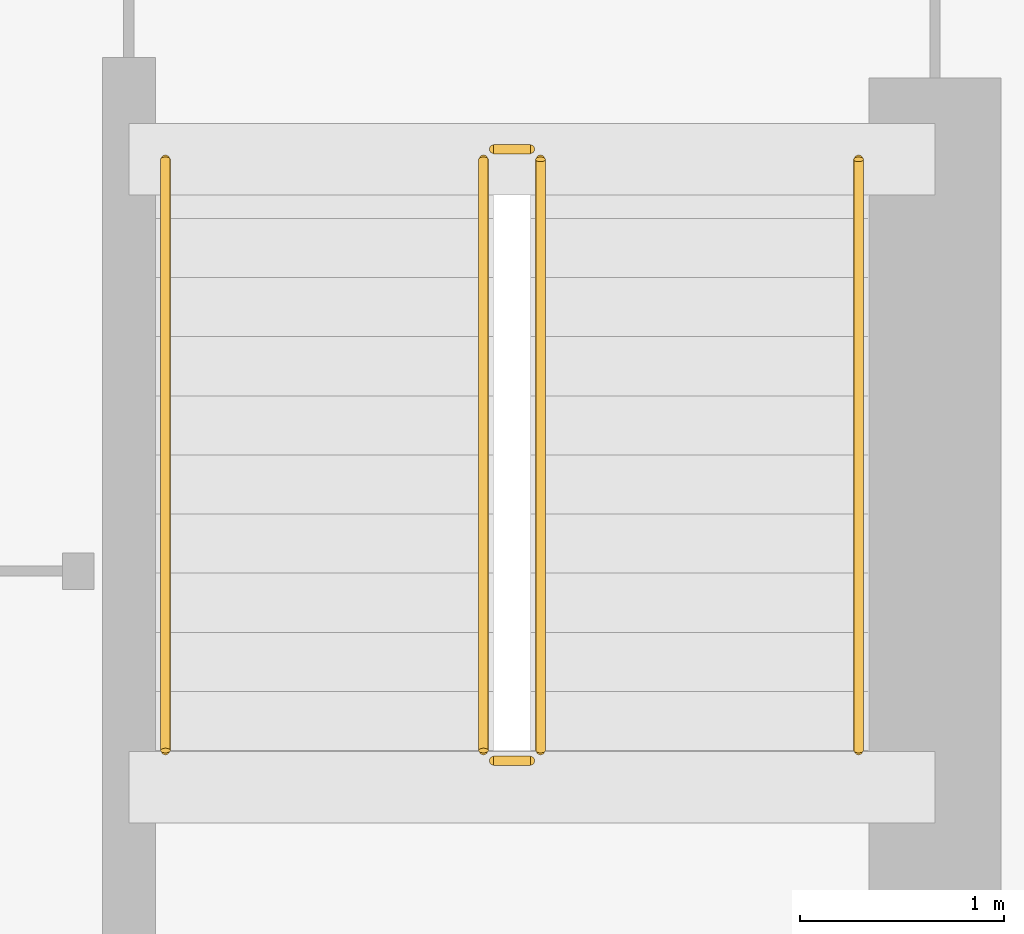
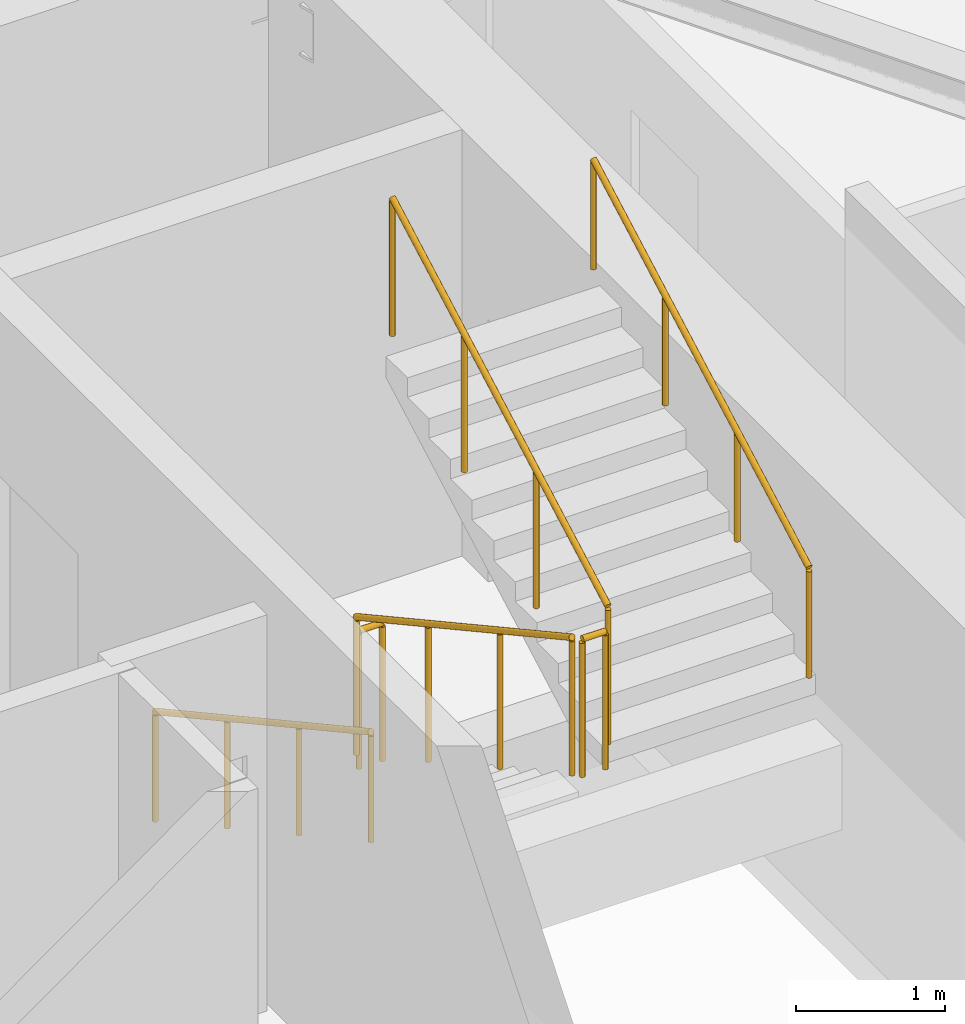
# One storey, part 9 of 9: 6 railings.
"""IFC4 building model written with IfcOpenShell, lengths in metres."""

import ifcopenshell
import ifcopenshell.guid

model = None  # the IFC model being written
_history = None  # IfcOwnerHistory: only IFC2X3 demands one
_inside = {}  # id of a spatial element -> (the spatial element, [elements in it])
_under = {}  # id of a project, library or spatial element -> (it, [spatial elements below it])
_declared = {}  # id of a project -> (the project, [libraries it declares])
_typed = {}  # id of a type object -> (the type object, [elements of that type])
_made_of = {}  # id of a material, layer set ... -> (it, [elements and type objects made of it])


def new_model(schema):
    """Start an empty IFC model of exactly this schema.

    Asked for "IFC4X3", IfcOpenShell would pick the latest addendum, in which some entities
    have other attributes; the version numbers below select the first issue.
    IFC2X3 requires an IfcOwnerHistory on every rooted entity: one is made here for all.
    """
    global model, _history
    if schema == "IFC4X3":
        model = ifcopenshell.file(schema_version=(4, 3, 0, 0))
    else:
        model = ifcopenshell.file(schema=schema)
    _inside.clear()
    _under.clear()
    _declared.clear()
    _typed.clear()
    _made_of.clear()
    _history = None
    if model.schema == "IFC2X3":
        org = make("IfcOrganization", Name="unknown")
        user = make(
            "IfcPersonAndOrganization",
            ThePerson=make("IfcPerson", FamilyName="unknown"),
            TheOrganization=org,
        )
        app = make(
            "IfcApplication",
            ApplicationDeveloper=org,
            Version="unknown",
            ApplicationFullName="unknown",
            ApplicationIdentifier="unknown",
        )
        _history = make(
            "IfcOwnerHistory",
            OwningUser=user,
            OwningApplication=app,
            ChangeAction="ADDED",
            CreationDate=0,
        )
    return model


def make(cls, **values):
    """One entity of the class cls with the attributes given. An attribute that is None is left unset."""
    return model.create_entity(
        cls, **{name: value for name, value in values.items() if value is not None}
    )


def rooted(cls, **values):
    """An entity with a GlobalId (a new one), such as an element, a storey or a relation."""
    return make(cls, GlobalId=ifcopenshell.guid.new(), OwnerHistory=_history, **values)


def si_unit(unit_type, name, prefix=None):
    """IfcSIUnit, for example si_unit("LENGTHUNIT", "METRE", prefix="MILLI")."""
    return make("IfcSIUnit", UnitType=unit_type, Prefix=prefix, Name=name)


def assignment(units):
    """IfcUnitAssignment: the units of a project."""
    return None if units is None else make("IfcUnitAssignment", Units=units)


def point(xyz):
    """IfcCartesianPoint."""
    return None if xyz is None else make("IfcCartesianPoint", Coordinates=xyz)


def direction(xyz):
    """IfcDirection."""
    return None if xyz is None else make("IfcDirection", DirectionRatios=xyz)


def frame(location, z_axis=None, x_axis=None):
    """IfcAxis2Placement3D, a coordinate frame: its origin and axes. An axis left out is left unset."""
    return make(
        "IfcAxis2Placement3D",
        Location=point(location),
        Axis=direction(z_axis),
        RefDirection=direction(x_axis),
    )


def frame_2d(location, x_axis=None):
    """IfcAxis2Placement2D, a coordinate frame in the plane: its origin and x axis."""
    return make(
        "IfcAxis2Placement2D", Location=point(location), RefDirection=direction(x_axis)
    )


def origin():
    """The frame at (0, 0, 0) with its axes left unset."""
    return frame((0.0, 0.0, 0.0))


def origin_2d():
    """The frame at (0, 0) in the plane with its x axis left unset."""
    return frame_2d((0.0, 0.0))


def place(relative_to, where):
    """IfcLocalPlacement: puts the frame where relative to a parent placement (None: the world)."""
    return make(
        "IfcLocalPlacement", PlacementRelTo=relative_to, RelativePlacement=where
    )


def context(
    kind, dimensions, precision=None, world=None, true_north=None, identifier=None
):
    """IfcGeometricRepresentationContext, for example the 3D "Model" context."""
    return make(
        "IfcGeometricRepresentationContext",
        ContextIdentifier=identifier,
        ContextType=kind,
        CoordinateSpaceDimension=dimensions,
        Precision=precision,
        WorldCoordinateSystem=world,
        TrueNorth=true_north,
    )


def subcontext(parent, identifier, kind, view, scale=None):
    """IfcGeometricRepresentationSubContext, for example "Body" below "Model"."""
    return make(
        "IfcGeometricRepresentationSubContext",
        ContextIdentifier=identifier,
        ContextType=kind,
        ParentContext=parent,
        TargetScale=scale,
        TargetView=view,
    )


def project(units=None, contexts=None):
    """IfcProject with its units and contexts."""
    return rooted(
        "IfcProject",
        Name="project",
        RepresentationContexts=contexts,
        UnitsInContext=assignment(units),
    )


def spatial(cls, under=None, at=None, **own):
    """A site, building, storey or space (cls), placed at a placement, below another one or the project."""
    s = rooted(cls, ObjectPlacement=at, **own)
    if under is not None:
        _under.setdefault(under.id(), (under, []))[1].append(s)
    return s


def profile(cls, at=None, kind="AREA", **sizes):
    """A parametric profile (cls). Its sizes go by their IFC names, for example OverallWidth=200.0."""
    return make(cls, ProfileType=kind, Position=at, **sizes)


def circle(**sizes):
    """IfcCircleProfileDef."""
    return profile("IfcCircleProfileDef", **sizes)


def extrude(swept, where, along, depth):
    """IfcExtrudedAreaSolid: the profile swept, set in the frame where, extruded along a direction by depth."""
    return make(
        "IfcExtrudedAreaSolid",
        SweptArea=swept,
        Position=where,
        ExtrudedDirection=direction(along),
        Depth=depth,
    )


def shape(context_of_items, identifier, shape_type, items):
    """IfcShapeRepresentation: the items that make up one representation, for example the "Body"."""
    return make(
        "IfcShapeRepresentation",
        ContextOfItems=context_of_items,
        RepresentationIdentifier=identifier,
        RepresentationType=shape_type,
        Items=items,
    )


def material(Name=None, Category=None):
    """IfcMaterial."""
    return make("IfcMaterial", Name=Name, Category=Category)


def made_of(thing, what):
    """Note that an element or type object is made of a material, layer set ...; save() writes the relation."""
    if what is not None:
        _made_of.setdefault(what.id(), (what, []))[1].append(thing)
    return thing


def type_object(cls, material=None, **own):
    """A type object (cls), such as IfcWallType, which elements share."""
    return made_of(rooted(cls, **own), material)


def element(
    cls,
    number,
    at=None,
    inside=None,
    cuts=None,
    type_object=None,
    material=None,
    context=None,
    identifier="Body",
    shape_type=None,
    held_by="IfcProductDefinitionShape",
    body=None,
    shapes=None,
    **own,
):
    """One element of the class cls, such as IfcWall. Its Tag is "e" and its number.

    at: its placement. inside: the storey or other place that contains it. cuts: it is an
    opening in that element (IfcRelVoidsElement). A single representation is given by context,
    identifier, shape_type and body (its items); several are given by shapes. held_by: the class
    of the entity that holds the representations. save() writes the other relations.
    """
    e = rooted(cls, Tag="e%d" % number, ObjectPlacement=at, **own)
    if body is not None:
        shapes = [shape(context, identifier, shape_type, body)]
    if shapes is not None:
        e.Representation = make(held_by, Representations=shapes)
    if inside is not None:
        _inside.setdefault(inside.id(), (inside, []))[1].append(e)
    if cuts is not None:
        rooted(
            "IfcRelVoidsElement", RelatingBuildingElement=cuts, RelatedOpeningElement=e
        )
    if type_object is not None:
        _typed.setdefault(type_object.id(), (type_object, []))[1].append(e)
    return made_of(e, material)


def aggregate(whole, parts):
    """IfcRelAggregates: a whole, such as a stair, and the parts it consists of."""
    return rooted("IfcRelAggregates", RelatingObject=whole, RelatedObjects=parts)


def save(model, path):
    """Write the relations noted so far, then the file.

    IfcRelAggregates (storeys below a building ...), IfcRelContainedInSpatialStructure (elements
    in a storey), IfcRelDefinesByType, IfcRelAssociatesMaterial and IfcRelDeclares: one each for
    every whole, place, type object, material and project.
    """
    for whole, parts in _under.values():
        aggregate(whole, parts)
    for where, things in _inside.values():
        rooted(
            "IfcRelContainedInSpatialStructure",
            RelatedElements=things,
            RelatingStructure=where,
        )
    for kind, things in _typed.values():
        rooted("IfcRelDefinesByType", RelatedObjects=things, RelatingType=kind)
    for what, things in _made_of.values():
        rooted("IfcRelAssociatesMaterial", RelatedObjects=things, RelatingMaterial=what)
    for by, libraries in _declared.values():
        rooted("IfcRelDeclares", RelatingContext=by, RelatedDefinitions=libraries)
    model.write(path)


model = new_model("IFC4")

# Units and contexts
model_context = context("Model", 3, precision=1e-05, world=origin(), true_north=direction((0.0, 1.0)))
body_context = subcontext(model_context, "Body", "Model", "MODEL_VIEW")
ifc_project = project(units=[si_unit("LENGTHUNIT", "METRE"), si_unit("AREAUNIT", "SQUARE_METRE"), si_unit("VOLUMEUNIT", "CUBIC_METRE"), si_unit("PLANEANGLEUNIT", "RADIAN"), si_unit("MASSUNIT", "GRAM", prefix="KILO")], contexts=[model_context])

# Site, building, storey
site_placement = place(None, origin())
site = spatial("IfcSite", under=ifc_project, at=site_placement, CompositionType="ELEMENT")
building_placement = place(site_placement, origin())
building = spatial("IfcBuilding", under=site, at=building_placement, Name="Calvemar Wedge Station Tower", CompositionType="ELEMENT")
storey_placement = place(building_placement, frame((0.0, 0.0, 232.39990234375)))
storey = spatial("IfcBuildingStorey", under=building, at=storey_placement, Name="L59", CompositionType="ELEMENT", Elevation=232.39990234375)

# Railings
ifc_material_1 = material(Name="Stainless steel AISI 316L", Category="steel")
railing_type_1 = type_object("IfcRailingType", Name="RL-HANDRAIL-920", PredefinedType="HANDRAIL", material=ifc_material_1)
railing_1_placement = place(storey_placement, frame((27.550048828125, 41.14990234375, 0.1591796875)))
element("IfcRailing", 1, at=railing_1_placement, inside=storey, type_object=railing_type_1, Name="L59 ST-C2 stair handrail 1", PredefinedType="HANDRAIL", context=body_context, shape_type="SweptSolid", body=[
    extrude(circle(Radius=0.02392578125, at=origin_2d()), frame((0.0, 0.0, 0.89599609375), z_axis=(0.0, -0.876742130028, 0.480960744171), x_axis=(1.0, 0.0, 0.0)), (0.0, 0.0, 1.0), 3.3076171875),
    extrude(circle(Radius=0.02099609375, at=origin_2d()), origin(), (0.0, 0.0, 1.0), 0.871826171875),
    extrude(circle(Radius=0.02099609375, at=origin_2d()), frame((0.0, -0.966552734375, 0.5302734375)), (0.0, 0.0, 1.0), 0.871826171875),
    extrude(circle(Radius=0.02099609375, at=origin_2d()), frame((0.0, -1.933349609375, 1.060546875)), (0.0, 0.0, 1.0), 0.871826171875),
    extrude(circle(Radius=0.02099609375, at=origin_2d()), frame((0.0, -2.89990234375, 1.5908203125)), (0.0, 0.0, 1.0), 0.871826171875),
])
railing_2_placement = place(storey_placement, frame((30.949951171875, 38.25, 1.9091796875)))
element("IfcRailing", 2, at=railing_2_placement, inside=storey, type_object=railing_type_1, Name="L59 ST-C2 stair handrail 2", PredefinedType="HANDRAIL", context=body_context, shape_type="SweptSolid", body=[
    extrude(circle(Radius=0.02392578125, at=origin_2d()), frame((0.0, 0.0, 0.89599609375), z_axis=(0.0, 0.876742130028, 0.480960744171), x_axis=(-1.0, 0.0, 0.0)), (0.0, 0.0, 1.0), 3.3076171875),
    extrude(circle(Radius=0.02099609375, at=origin_2d()), origin(), (0.0, 0.0, 1.0), 0.871826171875),
    extrude(circle(Radius=0.02099609375, at=origin_2d()), frame((0.0, 0.966552734375, 0.5302734375)), (0.0, 0.0, 1.0), 0.871826171875),
    extrude(circle(Radius=0.02099609375, at=origin_2d()), frame((0.0, 1.933349609375, 1.060546875)), (0.0, 0.0, 1.0), 0.871826171875),
    extrude(circle(Radius=0.02099609375, at=origin_2d()), frame((0.0, 2.89990234375, 1.5908203125)), (0.0, 0.0, 1.0), 0.871826171875),
])
ifc_material_2 = material(Name="Painted steel guardrail ASTM A500 Grade C", Category="steel")
railing_type_2 = type_object("IfcRailingType", Name="RL-STAIR-GUARD-1150", PredefinedType="GUARDRAIL", material=ifc_material_2)
railing_3_placement = place(storey_placement, frame((29.110107421875, 41.14990234375, 0.1591796875)))
element("IfcRailing", 3, at=railing_3_placement, inside=storey, type_object=railing_type_2, Name="L59 ST-C2 stair guard 1", PredefinedType="GUARDRAIL", context=body_context, shape_type="SweptSolid", body=[
    extrude(circle(Radius=0.02392578125, at=origin_2d()), frame((0.0, 0.0, 1.1259765625), z_axis=(0.0, -0.876742130028, 0.480960744171), x_axis=(1.0, 0.0, 0.0)), (0.0, 0.0, 1.0), 3.3076171875),
    extrude(circle(Radius=0.02099609375, at=origin_2d()), origin(), (0.0, 0.0, 1.0), 1.101806640625),
    extrude(circle(Radius=0.02099609375, at=origin_2d()), frame((0.0, -0.966552734375, 0.5302734375)), (0.0, 0.0, 1.0), 1.101806640625),
    extrude(circle(Radius=0.02099609375, at=origin_2d()), frame((0.0, -1.933349609375, 1.060546875)), (0.0, 0.0, 1.0), 1.101806640625),
    extrude(circle(Radius=0.02099609375, at=origin_2d()), frame((0.0, -2.89990234375, 1.5908203125)), (0.0, 0.0, 1.0), 1.101806640625),
])
railing_4_placement = place(storey_placement, frame((29.159912109375, 38.199951171875, 1.75)))
element("IfcRailing", 4, at=railing_4_placement, inside=storey, type_object=railing_type_2, Name="L59 ST-C2 stair guard 2", PredefinedType="GUARDRAIL", context=body_context, shape_type="SweptSolid", body=[
    extrude(circle(Radius=0.02392578125, at=origin_2d()), frame((0.0, 0.0, 1.1259765625), z_axis=(1.0, 0.0, 0.0), x_axis=(0.0, 1.0, 0.0)), (0.0, 0.0, 1.0), 0.18017578125),
    extrude(circle(Radius=0.02099609375, at=origin_2d()), origin(), (0.0, 0.0, 1.0), 1.101806640625),
    extrude(circle(Radius=0.02099609375, at=origin_2d()), frame((0.18017578125, 0.0, 0.0)), (0.0, 0.0, 1.0), 1.101806640625),
])
railing_5_placement = place(storey_placement, frame((29.389892578125, 38.25, 1.9091796875)))
element("IfcRailing", 5, at=railing_5_placement, inside=storey, type_object=railing_type_2, Name="L59 ST-C2 stair guard 3", PredefinedType="GUARDRAIL", context=body_context, shape_type="SweptSolid", body=[
    extrude(circle(Radius=0.02392578125, at=origin_2d()), frame((0.0, 0.0, 1.1259765625), z_axis=(0.0, 0.876742130028, 0.480960744171), x_axis=(-1.0, 0.0, 0.0)), (0.0, 0.0, 1.0), 3.3076171875),
    extrude(circle(Radius=0.02099609375, at=origin_2d()), origin(), (0.0, 0.0, 1.0), 1.101806640625),
    extrude(circle(Radius=0.02099609375, at=origin_2d()), frame((0.0, 0.966552734375, 0.5302734375)), (0.0, 0.0, 1.0), 1.101806640625),
    extrude(circle(Radius=0.02099609375, at=origin_2d()), frame((0.0, 1.933349609375, 1.060546875)), (0.0, 0.0, 1.0), 1.101806640625),
    extrude(circle(Radius=0.02099609375, at=origin_2d()), frame((0.0, 2.89990234375, 1.5908203125)), (0.0, 0.0, 1.0), 1.101806640625),
])
railing_6_placement = place(storey_placement, frame((29.159912109375, 41.199951171875, 0.0)))
element("IfcRailing", 6, at=railing_6_placement, inside=storey, type_object=railing_type_2, Name="L59 ST-C2 stair guard 4", PredefinedType="GUARDRAIL", context=body_context, shape_type="SweptSolid", body=[
    extrude(circle(Radius=0.02392578125, at=origin_2d()), frame((0.0, 0.0, 1.1259765625), z_axis=(1.0, 0.0, 0.0), x_axis=(0.0, 1.0, 0.0)), (0.0, 0.0, 1.0), 0.18017578125),
    extrude(circle(Radius=0.02099609375, at=origin_2d()), origin(), (0.0, 0.0, 1.0), 1.101806640625),
    extrude(circle(Radius=0.02099609375, at=origin_2d()), frame((0.18017578125, 0.0, 0.0)), (0.0, 0.0, 1.0), 1.101806640625),
])

save(model, "model.ifc")
